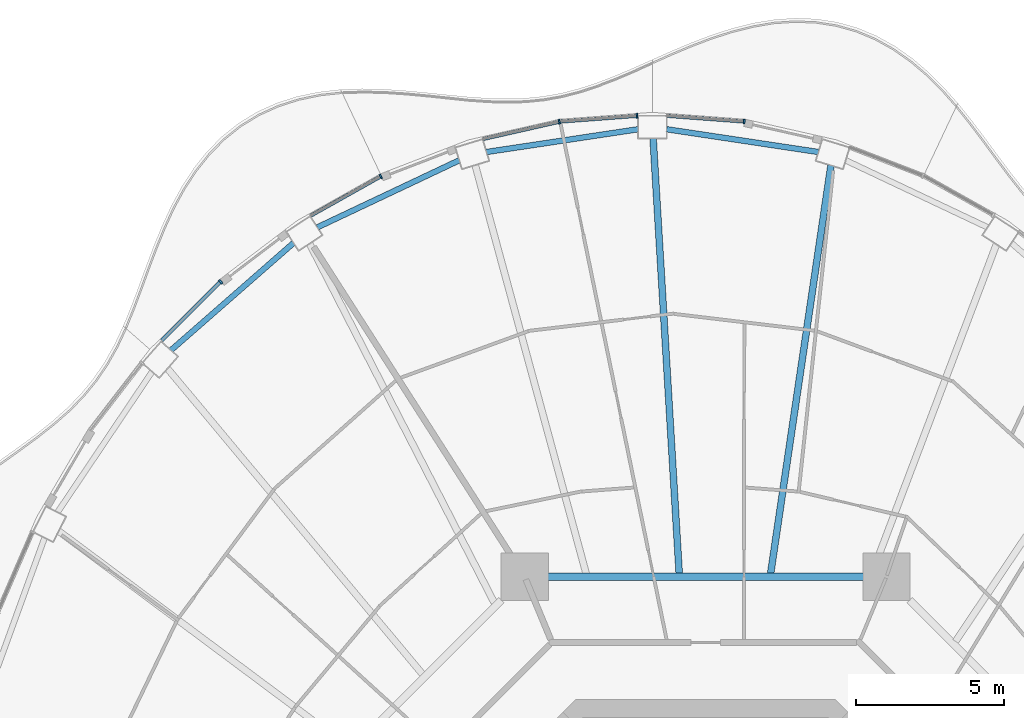
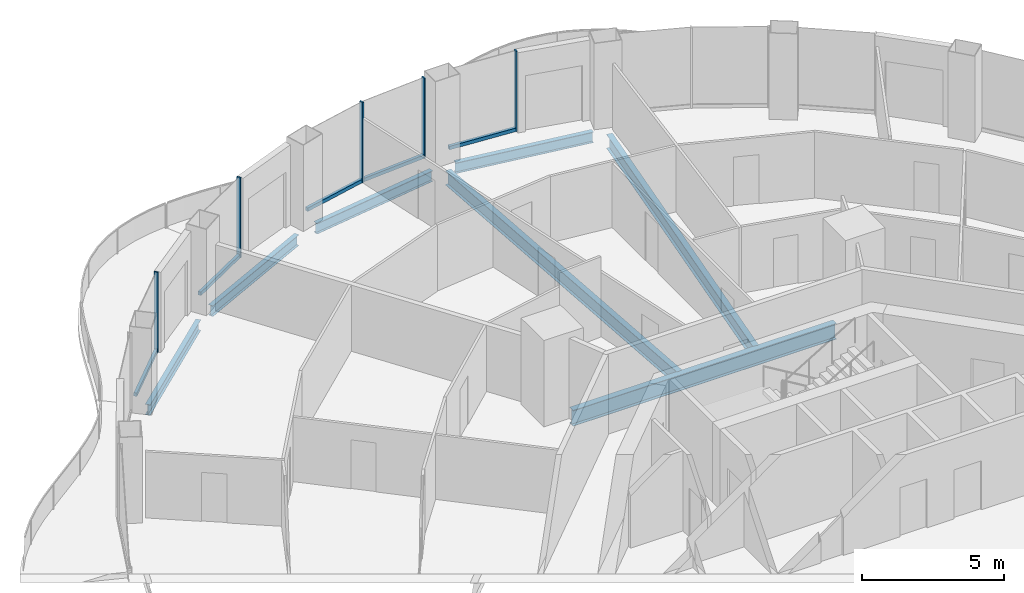
# One storey, part 6 of 18: 10 members, 7 beams, 5 elements without a shape of their own.
"""IFC4 building model written with IfcOpenShell, lengths in metres."""

from ifc_helpers import new_model, si_unit, direction, frame, origin, origin_2d, place, context, subcontext, project, spatial, rectangle, i_section, extrude, material, layer, layer_set, material_profile, profile_set, type_object, element, aggregate, save


model = new_model("IFC4")

# Units and contexts
model_context = context("Model", 3, precision=1e-05, world=origin(), true_north=direction((0.0, 1.0)))
body_context = subcontext(model_context, "Body", "Model", "MODEL_VIEW")
ifc_project = project(units=[si_unit("LENGTHUNIT", "METRE"), si_unit("AREAUNIT", "SQUARE_METRE"), si_unit("VOLUMEUNIT", "CUBIC_METRE"), si_unit("PLANEANGLEUNIT", "RADIAN"), si_unit("MASSUNIT", "GRAM", prefix="KILO")], contexts=[model_context])

# Site, building, storey
site_placement = place(None, origin())
site = spatial("IfcSite", under=ifc_project, at=site_placement, CompositionType="ELEMENT")
building_placement = place(site_placement, origin())
building = spatial("IfcBuilding", under=site, at=building_placement, Name="Nagisa Residences", CompositionType="ELEMENT")
storey_placement = place(building_placement, frame((0.0, 0.0, 241.800048828125)))
storey = spatial("IfcBuildingStorey", under=building, at=storey_placement, Name="L61", CompositionType="ELEMENT", Elevation=241.800048828125)

# Curtain wall, member
ifc_material_1 = material(Name="Concrete-coloured aluminium curtain wall system", Category="concrete")
ifc_layer = layer(ifc_material_1, 0.159912109375)
ifc_layer_set = layer_set([ifc_layer], Name="CW1 CURTAIN WALL")
curtain_wall_type = type_object("IfcCurtainWallType", Name="CW1 CURTAIN WALL", PredefinedType="NOTDEFINED", material=ifc_layer_set)
curtain_wall_1_placement = place(storey_placement, origin())
curtain_wall_1 = element("IfcCurtainWall", 1, at=curtain_wall_1_placement, inside=storey, type_object=curtain_wall_type, Name="cw:CW1:L61:11", PredefinedType="NOTDEFINED")
ifc_material_2 = material(Name="Concrete-coloured aluminium", Category="concrete")
ifc_material_profile_1 = material_profile(ifc_material_2, rectangle(XDim=0.159912109375, YDim=0.06005859375, at=origin_2d()), Name="CW1 MULLION 160x60")
ifc_profile_set_1 = profile_set([ifc_material_profile_1], Name="Concrete-coloured aluminium")
member_type_1 = type_object("IfcMemberType", Name="CW1 MULLION 160x60", PredefinedType="MULLION", material=ifc_profile_set_1)
member_1_placement = place(storey_placement, frame((1.305908203125, 30.19580078125, 0.0), z_axis=(0.0, 0.0, 1.0), x_axis=(-0.074377355493, -0.997230168512, 0.0)))
member_1 = element("IfcMember", 2, at=member_1_placement, type_object=member_type_1, Name="CW1 mullion", PredefinedType="MULLION", context=body_context, shape_type="SweptSolid", body=[
    extrude(rectangle(XDim=0.159912109375, YDim=0.06005859375, at=origin_2d()), origin(), (0.0, 0.0, 1.0), 3.43994140625),
])

curtain_wall_2_placement = place(storey_placement, origin())
curtain_wall_2 = element("IfcCurtainWall", 3, at=curtain_wall_2_placement, inside=storey, type_object=curtain_wall_type, Name="cw:CW1:L61:12", PredefinedType="NOTDEFINED")
member_2_placement = place(storey_placement, frame((-2.322509765625, 30.388427734375, 0.0), z_axis=(0.0, 0.0, 1.0), x_axis=(0.074377355493, -0.997230168512, 0.0)))
member_2 = element("IfcMember", 4, at=member_2_placement, type_object=member_type_1, Name="CW1 mullion", PredefinedType="MULLION", context=body_context, shape_type="SweptSolid", body=[
    extrude(rectangle(XDim=0.159912109375, YDim=0.06005859375, at=origin_2d()), origin(), (0.0, 0.0, 1.0), 3.43994140625),
])

curtain_wall_3_placement = place(storey_placement, origin())
curtain_wall_3 = element("IfcCurtainWall", 5, at=curtain_wall_3_placement, inside=storey, type_object=curtain_wall_type, Name="cw:CW1:L61:13", PredefinedType="NOTDEFINED")
member_3_placement = place(storey_placement, frame((-4.953369140625, 30.188720703125, 0.0), z_axis=(0.0, 0.0, 1.0), x_axis=(0.2207639201, -0.975327274089, 0.0)))
member_3 = element("IfcMember", 6, at=member_3_placement, type_object=member_type_1, Name="CW1 mullion", PredefinedType="MULLION", context=body_context, shape_type="SweptSolid", body=[
    extrude(rectangle(XDim=0.159912109375, YDim=0.06005859375, at=origin_2d()), origin(), (0.0, 0.0, 1.0), 3.43994140625),
])

curtain_wall_4_placement = place(storey_placement, origin())
curtain_wall_4 = element("IfcCurtainWall", 7, at=curtain_wall_4_placement, inside=storey, type_object=curtain_wall_type, Name="cw:CW1:L61:15", PredefinedType="NOTDEFINED")
member_4_placement = place(storey_placement, frame((-10.998291015625, 28.33837890625, 0.0), z_axis=(0.0, 0.0, 1.0), x_axis=(0.489376918501, -0.872072377523, 0.0)))
member_4 = element("IfcMember", 8, at=member_4_placement, type_object=member_type_1, Name="CW1 mullion", PredefinedType="MULLION", context=body_context, shape_type="SweptSolid", body=[
    extrude(rectangle(XDim=0.159912109375, YDim=0.06005859375, at=origin_2d()), origin(), (0.0, 0.0, 1.0), 3.43994140625),
])

curtain_wall_5_placement = place(storey_placement, origin())
curtain_wall_5 = element("IfcCurtainWall", 9, at=curtain_wall_5_placement, inside=storey, type_object=curtain_wall_type, Name="cw:CW1:L61:17", PredefinedType="NOTDEFINED")
member_5_placement = place(storey_placement, frame((-16.417724609375, 24.769775390625, 0.0), z_axis=(0.0, 0.0, 1.0), x_axis=(0.706376885714, -0.707835924016, 0.0)))
member_5 = element("IfcMember", 10, at=member_5_placement, type_object=member_type_1, Name="CW1 mullion", PredefinedType="MULLION", context=body_context, shape_type="SweptSolid", body=[
    extrude(rectangle(XDim=0.159912109375, YDim=0.06005859375, at=origin_2d()), origin(), (0.0, 0.0, 1.0), 3.43994140625),
])

# Member
ifc_material_3 = material(Name="Concrete-coloured aluminium", Category="concrete")
ifc_material_profile_2 = material_profile(ifc_material_3, rectangle(XDim=0.1201171875, YDim=0.14990234375, at=origin_2d()), Name="CW1 TRANSOM 120x150")
ifc_profile_set_2 = profile_set([ifc_material_profile_2], Name="Concrete-coloured aluminium")
member_type_2 = type_object("IfcMemberType", Name="CW1 TRANSOM 120x150", PredefinedType="USERDEFINED", material=ifc_profile_set_2)
member_6_placement = place(storey_placement, frame((1.335693359375, 30.193603515625, 0.074951171875), z_axis=(-0.997233213085, 0.074336523458, 0.0), x_axis=(-0.074336523458, -0.997233213085, 0.0)))
member_6 = element("IfcMember", 11, at=member_6_placement, type_object=member_type_2, Name="CW1 transom", ObjectType="TRANSOM", PredefinedType="USERDEFINED", context=body_context, shape_type="SweptSolid", body=[
    extrude(rectangle(XDim=0.1201171875, YDim=0.14990234375, at=origin_2d()), origin(), (0.0, 0.0, 1.0), 2.650390625),
])

aggregate(curtain_wall_1, [member_1, member_6])

member_7_placement = place(storey_placement, frame((-2.292724609375, 30.390625, 0.074951171875), z_axis=(-0.997233213085, -0.074336523458, 0.0), x_axis=(0.074336523458, -0.997233213085, 0.0)))
member_7 = element("IfcMember", 12, at=member_7_placement, type_object=member_type_2, Name="CW1 transom", ObjectType="TRANSOM", PredefinedType="USERDEFINED", context=body_context, shape_type="SweptSolid", body=[
    extrude(rectangle(XDim=0.1201171875, YDim=0.14990234375, at=origin_2d()), origin(), (0.0, 0.0, 1.0), 2.650390625),
])

aggregate(curtain_wall_2, [member_2, member_7])

member_8_placement = place(storey_placement, frame((-4.924072265625, 30.1953125, 0.074951171875), z_axis=(-0.975324089124, -0.220777990694, 0.0), x_axis=(0.220777990694, -0.975324089124, 0.0)))
member_8 = element("IfcMember", 13, at=member_8_placement, type_object=member_type_2, Name="CW1 transom", ObjectType="TRANSOM", PredefinedType="USERDEFINED", context=body_context, shape_type="SweptSolid", body=[
    extrude(rectangle(XDim=0.1201171875, YDim=0.14990234375, at=origin_2d()), origin(), (0.0, 0.0, 1.0), 2.666015625),
])

aggregate(curtain_wall_3, [member_3, member_8])

member_9_placement = place(storey_placement, frame((-10.971923828125, 28.35302734375, 0.074951171875), z_axis=(-0.872063230277, -0.489393218586, 0.0), x_axis=(0.489393218586, -0.872063230277, 0.0)))
member_9 = element("IfcMember", 14, at=member_9_placement, type_object=member_type_2, Name="CW1 transom", ObjectType="TRANSOM", PredefinedType="USERDEFINED", context=body_context, shape_type="SweptSolid", body=[
    extrude(rectangle(XDim=0.1201171875, YDim=0.14990234375, at=origin_2d()), origin(), (0.0, 0.0, 1.0), 2.73828125),
])

aggregate(curtain_wall_4, [member_4, member_9])

member_10_placement = place(storey_placement, frame((-16.396484375, 24.791015625, 0.074951171875), z_axis=(-0.707836044127, -0.706376765356, 0.0), x_axis=(0.706376765356, -0.707836044127, 0.0)))
member_10 = element("IfcMember", 15, at=member_10_placement, type_object=member_type_2, Name="CW1 transom", ObjectType="TRANSOM", PredefinedType="USERDEFINED", context=body_context, shape_type="SweptSolid", body=[
    extrude(rectangle(XDim=0.1201171875, YDim=0.14990234375, at=origin_2d()), origin(), (0.0, 0.0, 1.0), 2.84423828125),
])

aggregate(curtain_wall_5, [member_5, member_10])

# Beams
ifc_material_4 = material(Name="Steel ASTM A572 Gr 50", Category="steel")
ifc_material_profile_3 = material_profile(ifc_material_4, i_section(OverallWidth=0.2529296875, OverallDepth=0.677978515625, WebThickness=0.01171875, FlangeThickness=0.016357421875, at=origin_2d()), Name="W690x125")
ifc_profile_set_3 = profile_set([ifc_material_profile_3], Name="Steel ASTM A572 Gr 50")
beam_type_1 = type_object("IfcBeamType", Name="Inner ring beam W690x125", PredefinedType="BEAM", material=ifc_profile_set_3)
beam_1_placement = place(storey_placement, frame((5.343017578125, 14.781982421875, -0.59912109375), z_axis=(-1.0, 0.0, 0.0), x_axis=(0.0, -1.0, 0.0)))
element("IfcBeam", 16, at=beam_1_placement, inside=storey, type_object=beam_type_1, Name="beam:L61:ib2", PredefinedType="BEAM", context=body_context, shape_type="SweptSolid", body=[
    extrude(i_section(OverallWidth=0.2529296875, OverallDepth=0.677978515625, WebThickness=0.01171875, FlangeThickness=0.016357421875, at=origin_2d()), origin(), (0.0, 0.0, 1.0), 10.68603515625),
])
ifc_material_5 = material(Name="Steel ASTM A572 Gr 50", Category="steel")
ifc_material_profile_4 = material_profile(ifc_material_5, i_section(OverallWidth=0.18994140625, OverallDepth=0.45703125, WebThickness=0.009033203125, FlangeThickness=0.014404296875, at=origin_2d()), Name="W460x74")
ifc_profile_set_4 = profile_set([ifc_material_profile_4], Name="Steel ASTM A572 Gr 50")
beam_type_2 = type_object("IfcBeamType", Name="Perimeter ring beam W460x74", PredefinedType="BEAM", material=ifc_profile_set_4)
for number, where, z_axis, x_axis, name in (
    (17, (3.8203125, 29.16357421875, -0.488525390625), (-0.988909463745, 0.148519603133, 0.0), (-0.148519603133, -0.988909463745, 0.0), "beam:L61:pb06"),
    (18, (-2.2802734375, 29.935546875, -0.488525390625), (-0.988909463745, -0.148519603133, 0.0), (0.148519603133, -0.988909463745, 0.0), "beam:L61:pb07"),
):
    element("IfcBeam", number, at=place(storey_placement, frame(where, z_axis=z_axis, x_axis=x_axis)), inside=storey, type_object=beam_type_2, Name=name, PredefinedType="BEAM", context=body_context, shape_type="SweptSolid", body=[
        extrude(i_section(OverallWidth=0.18994140625, OverallDepth=0.45703125, WebThickness=0.009033203125, FlangeThickness=0.014404296875, at=origin_2d()), origin(), (0.0, 0.0, 1.0), 5.19775390625),
    ])
beam_2_placement = place(storey_placement, frame((-8.339111328125, 28.884033203125, -0.488525390625), z_axis=(-0.904133867308, -0.42724928319, 0.0), x_axis=(0.42724928319, -0.904133867308, 0.0)))
element("IfcBeam", 19, at=beam_2_placement, inside=storey, type_object=beam_type_2, Name="beam:L61:pb08", PredefinedType="BEAM", context=body_context, shape_type="SweptSolid", body=[
    extrude(i_section(OverallWidth=0.18994140625, OverallDepth=0.45703125, WebThickness=0.009033203125, FlangeThickness=0.014404296875, at=origin_2d()), origin(), (0.0, 0.0, 1.0), 5.317138671875),
])
beam_3_placement = place(storey_placement, frame((-13.94970703125, 26.085693359375, -0.488525390625), z_axis=(-0.75242320672, -0.65867998147, 0.0), x_axis=(0.65867998147, -0.75242320672, 0.0)))
element("IfcBeam", 20, at=beam_3_placement, inside=storey, type_object=beam_type_2, Name="beam:L61:pb09", PredefinedType="BEAM", context=body_context, shape_type="SweptSolid", body=[
    extrude(i_section(OverallWidth=0.18994140625, OverallDepth=0.45703125, WebThickness=0.009033203125, FlangeThickness=0.014404296875, at=origin_2d()), origin(), (0.0, 0.0, 1.0), 5.5185546875),
])
ifc_material_6 = material(Name="Steel ASTM A572 Gr 50", Category="steel")
ifc_material_profile_5 = material_profile(ifc_material_6, i_section(OverallWidth=0.22802734375, OverallDepth=0.60302734375, WebThickness=0.010498046875, FlangeThickness=0.014892578125, at=origin_2d()), Name="W610x101")
ifc_profile_set_5 = profile_set([ifc_material_profile_5], Name="Steel ASTM A572 Gr 50")
beam_type_3 = type_object("IfcBeamType", Name="Radial beam W610x101", PredefinedType="BEAM", material=ifc_profile_set_5)
beam_4_placement = place(storey_placement, frame((4.244140625, 28.711181640625, -0.5615234375), z_axis=(-0.146228868188, -0.989250786256, 0.0), x_axis=(0.989250786256, -0.146228868188, 0.0)))
element("IfcBeam", 21, at=beam_4_placement, inside=storey, type_object=beam_type_3, Name="beam:L61:rb06", PredefinedType="BEAM", context=body_context, shape_type="SweptSolid", body=[
    extrude(i_section(OverallWidth=0.22802734375, OverallDepth=0.60302734375, WebThickness=0.010498046875, FlangeThickness=0.014892578125, at=origin_2d()), origin(), (0.0, 0.0, 1.0), 13.97265625),
])
beam_5_placement = place(storey_placement, frame((-1.777099609375, 29.627685546875, -0.5615234375), z_axis=(0.059871531939, -0.998206090776, 0.0), x_axis=(0.998206090776, 0.059871531939, 0.0)))
element("IfcBeam", 22, at=beam_5_placement, inside=storey, type_object=beam_type_3, Name="beam:L61:rb07", PredefinedType="BEAM", context=body_context, shape_type="SweptSolid", body=[
    extrude(i_section(OverallWidth=0.22802734375, OverallDepth=0.60302734375, WebThickness=0.010498046875, FlangeThickness=0.014892578125, at=origin_2d()), origin(), (0.0, 0.0, 1.0), 14.765380859375),
])

save(model, "model.ifc")
